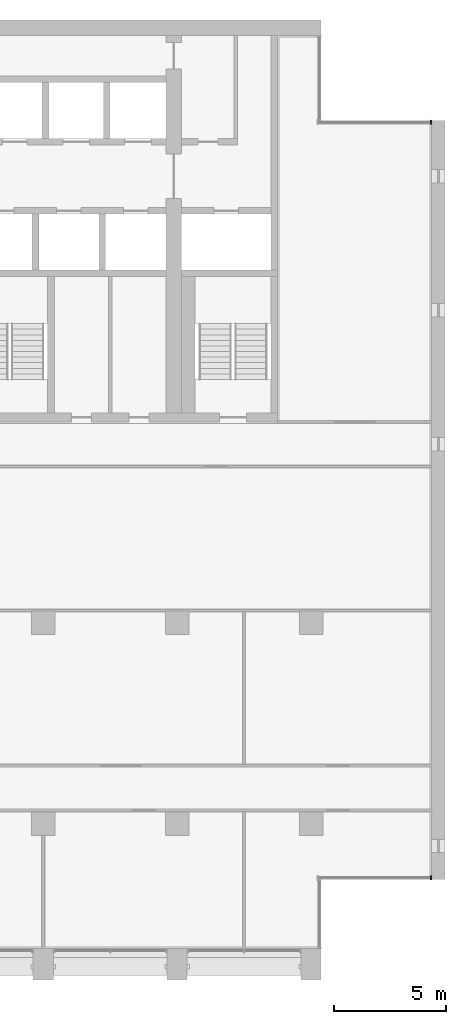
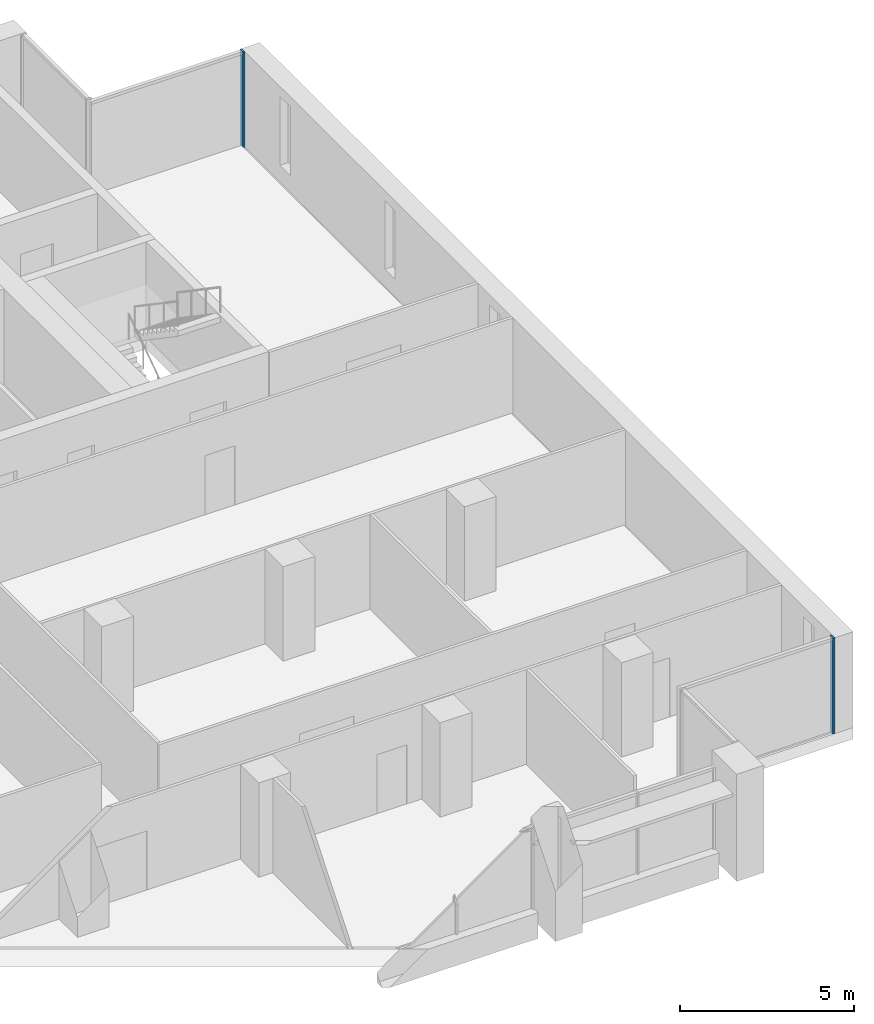
# One storey, part 6 of 17: 2 members, 2 elements without a shape of their own.
"""IFC4 building model written with IfcOpenShell, lengths in metres."""

from ifc_helpers import new_model, si_unit, direction, frame, origin, origin_2d, place, context, subcontext, project, spatial, rectangle, extrude, material, material_profile, profile_set, type_object, element, aggregate, save


model = new_model("IFC4")

# Units and contexts
model_context = context("Model", 3, precision=1e-05, world=origin(), true_north=direction((0.0, 1.0)))
body_context = subcontext(model_context, "Body", "Model", "MODEL_VIEW")
ifc_project = project(units=[si_unit("LENGTHUNIT", "METRE"), si_unit("AREAUNIT", "SQUARE_METRE"), si_unit("VOLUMEUNIT", "CUBIC_METRE"), si_unit("PLANEANGLEUNIT", "RADIAN"), si_unit("MASSUNIT", "GRAM", prefix="KILO")], contexts=[model_context])

# Site, building, storey
site_placement = place(None, origin())
site = spatial("IfcSite", under=ifc_project, at=site_placement, CompositionType="ELEMENT")
building_placement = place(site_placement, origin())
building = spatial("IfcBuilding", under=site, at=building_placement, Name="Calvaro Tower", CompositionType="ELEMENT")
storey_placement = place(building_placement, frame((0.0, 0.0, 200.5)))
storey = spatial("IfcBuildingStorey", under=building, at=storey_placement, Name="L50", CompositionType="ELEMENT", Elevation=200.5)

# Curtain wall, member
ifc_material_1 = material(Name="Anodised aluminium", Category="aluminium")
curtain_wall_type = type_object("IfcCurtainWallType", Name="Office curtain wall, upper zone", PredefinedType="NOTDEFINED", material=ifc_material_1)
curtain_wall_1_placement = place(storey_placement, origin())
curtain_wall_1 = element("IfcCurtainWall", 1, at=curtain_wall_1_placement, inside=storey, type_object=curtain_wall_type, Name="CW3 corner curtain wall", PredefinedType="NOTDEFINED")
ifc_material_2 = material(Name="Anodised aluminium", Category="aluminium")
ifc_material_profile = material_profile(ifc_material_2, rectangle(XDim=0.179931640625, YDim=0.06005859375, at=origin_2d()), Name="Mullion S3 60 x 180")
ifc_profile_set = profile_set([ifc_material_profile], Name="Anodised aluminium")
member_type = type_object("IfcMemberType", Name="Mullion S3 60 x 180", PredefinedType="MULLION", material=ifc_profile_set)
member_1_placement = place(storey_placement, frame((71.3701171875, 7.590087890625, 0.0), z_axis=(0.0, 0.0, 1.0), x_axis=(0.0, 1.0, 0.0)))
member_1 = element("IfcMember", 2, at=member_1_placement, type_object=member_type, Name="CW3 mullion 2", PredefinedType="MULLION", context=body_context, shape_type="SweptSolid", body=[
    extrude(rectangle(XDim=0.179931640625, YDim=0.06005859375, at=origin_2d()), origin(), (0.0, 0.0, 1.0), 3.35009765625),
])
aggregate(curtain_wall_1, [member_1])

curtain_wall_2_placement = place(storey_placement, origin())
curtain_wall_2 = element("IfcCurtainWall", 3, at=curtain_wall_2_placement, inside=storey, type_object=curtain_wall_type, Name="CW3 corner curtain wall", PredefinedType="NOTDEFINED")
member_2_placement = place(storey_placement, frame((71.3701171875, 41.409912109375, 0.0), z_axis=(0.0, 0.0, 1.0), x_axis=(0.0, 1.0, 0.0)))
member_2 = element("IfcMember", 4, at=member_2_placement, type_object=member_type, Name="CW3 mullion 2", PredefinedType="MULLION", context=body_context, shape_type="SweptSolid", body=[
    extrude(rectangle(XDim=0.179931640625, YDim=0.06005859375, at=origin_2d()), origin(), (0.0, 0.0, 1.0), 3.35009765625),
])
aggregate(curtain_wall_2, [member_2])

save(model, "model.ifc")
